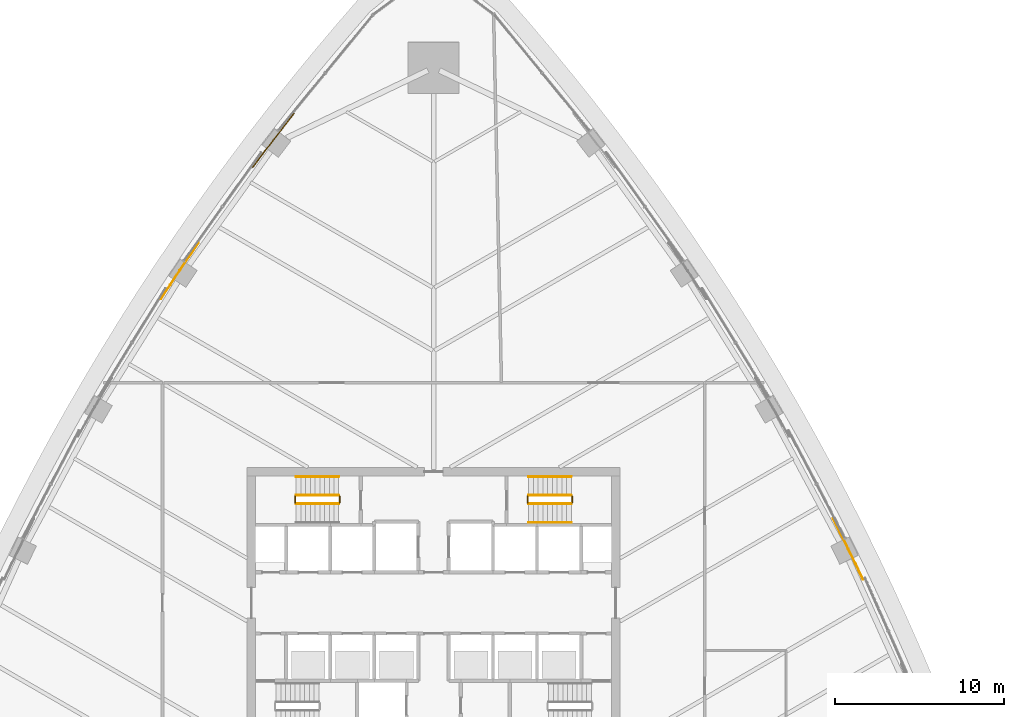
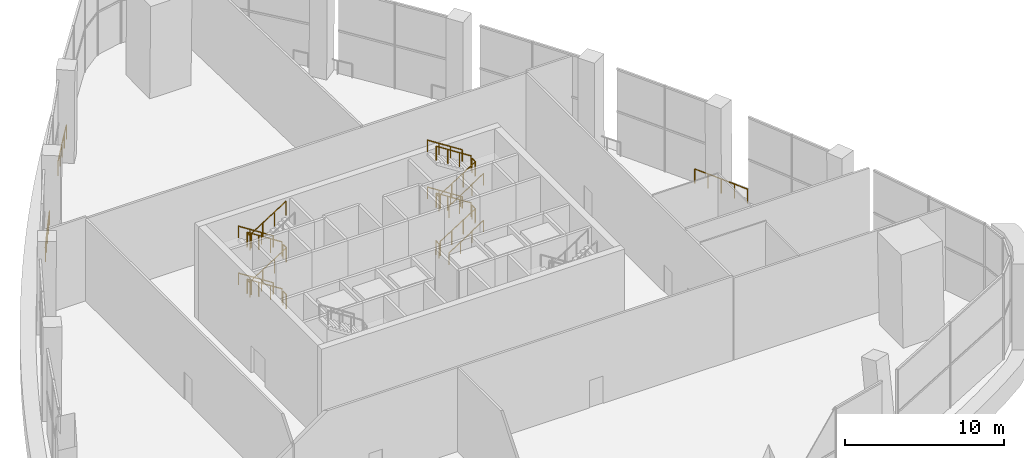
# One storey, part 21 of 23: 25 railings.
"""IFC4 building model written with IfcOpenShell, lengths in metres."""

from ifc_helpers import new_model, si_unit, direction, frame, origin, origin_2d, place, context, subcontext, project, spatial, circle, extrude, material, type_object, element, save


model = new_model("IFC4")

# Units and contexts
model_context = context("Model", 3, precision=1e-05, world=origin(), true_north=direction((0.0, 1.0)))
body_context = subcontext(model_context, "Body", "Model", "MODEL_VIEW")
ifc_project = project(units=[si_unit("LENGTHUNIT", "METRE"), si_unit("AREAUNIT", "SQUARE_METRE"), si_unit("VOLUMEUNIT", "CUBIC_METRE"), si_unit("PLANEANGLEUNIT", "RADIAN"), si_unit("MASSUNIT", "GRAM", prefix="KILO")], contexts=[model_context])

# Site, building, storey
site_placement = place(None, origin())
site = spatial("IfcSite", under=ifc_project, at=site_placement, CompositionType="ELEMENT")
building_placement = place(site_placement, origin())
building = spatial("IfcBuilding", under=site, at=building_placement, Name="Sierra Prisma Convention Tower", CompositionType="ELEMENT")
storey_placement = place(building_placement, frame((0.0, 0.0, 40.800048828125)))
storey = spatial("IfcBuildingStorey", under=building, at=storey_placement, Name="L06", CompositionType="ELEMENT", Elevation=40.800048828125)

# Railings
ifc_material_1 = material(Name="Stainless steel", Category="steel")
railing_type_1 = type_object("IfcRailingType", Name="Exit stair handrail", PredefinedType="HANDRAIL", material=ifc_material_1)
railing_1_placement = place(storey_placement, frame((-5.60009765625, 7.449951171875, 0.179931640625)))
element("IfcRailing", 1, at=railing_1_placement, inside=storey, type_object=railing_type_1, Name="L06 S3 stair handrail 1", PredefinedType="HANDRAIL", context=body_context, shape_type="SweptSolid", body=[
    extrude(circle(Radius=0.02392578125, at=origin_2d()), frame((0.0, 0.0, 0.8759765625), z_axis=(-0.841162588446, 0.0, 0.540782303519), x_axis=(0.0, -1.0, 0.0)), (0.0, 0.0, 1.0), 2.995849609375),
    extrude(circle(Radius=0.02099609375, at=origin_2d()), origin(), (0.0, 0.0, 1.0), 0.851806640625),
    extrude(circle(Radius=0.02099609375, at=origin_2d()), frame((-0.840087890625, 0.0, 0.5400390625)), (0.0, 0.0, 1.0), 0.851806640625),
    extrude(circle(Radius=0.02099609375, at=origin_2d()), frame((-1.679931640625, 0.0, 1.080078125)), (0.0, 0.0, 1.0), 0.851806640625),
    extrude(circle(Radius=0.02099609375, at=origin_2d()), frame((-2.52001953125, 0.0, 1.6201171875)), (0.0, 0.0, 1.0), 0.851806640625),
])
railing_2_placement = place(storey_placement, frame((-5.60009765625, 7.449951171875, 3.780029296875)))
element("IfcRailing", 2, at=railing_2_placement, inside=storey, type_object=railing_type_1, Name="L06 S3 stair handrail 3", PredefinedType="HANDRAIL", context=body_context, shape_type="SweptSolid", body=[
    extrude(circle(Radius=0.02392578125, at=origin_2d()), frame((0.0, 0.0, 0.8759765625), z_axis=(-0.841199657755, 0.0, 0.540724639528), x_axis=(0.0, -1.0, 0.0)), (0.0, 0.0, 1.0), 2.995849609375),
    extrude(circle(Radius=0.02099609375, at=origin_2d()), origin(), (0.0, 0.0, 1.0), 0.851806640625),
    extrude(circle(Radius=0.02099609375, at=origin_2d()), frame((-0.840087890625, 0.0, 0.5400390625)), (0.0, 0.0, 1.0), 0.851806640625),
    extrude(circle(Radius=0.02099609375, at=origin_2d()), frame((-1.679931640625, 0.0, 1.079833984375)), (0.0, 0.0, 1.0), 0.851806640625),
    extrude(circle(Radius=0.02099609375, at=origin_2d()), frame((-2.52001953125, 0.0, 1.619873046875)), (0.0, 0.0, 1.0), 0.851806640625),
])
railing_3_placement = place(storey_placement, frame((5.60009765625, 4.75, 0.179931640625)))
element("IfcRailing", 3, at=railing_3_placement, inside=storey, type_object=railing_type_1, Name="L06 S4 stair handrail 1", PredefinedType="HANDRAIL", context=body_context, shape_type="SweptSolid", body=[
    extrude(circle(Radius=0.02392578125, at=origin_2d()), frame((0.0, 0.0, 0.8759765625), z_axis=(0.841162588446, 0.0, 0.540782303519), x_axis=(0.0, 1.0, 0.0)), (0.0, 0.0, 1.0), 2.995849609375),
    extrude(circle(Radius=0.02099609375, at=origin_2d()), origin(), (0.0, 0.0, 1.0), 0.851806640625),
    extrude(circle(Radius=0.02099609375, at=origin_2d()), frame((0.840087890625, 0.0, 0.5400390625)), (0.0, 0.0, 1.0), 0.851806640625),
    extrude(circle(Radius=0.02099609375, at=origin_2d()), frame((1.679931640625, 0.0, 1.080078125)), (0.0, 0.0, 1.0), 0.851806640625),
    extrude(circle(Radius=0.02099609375, at=origin_2d()), frame((2.52001953125, 0.0, 1.6201171875)), (0.0, 0.0, 1.0), 0.851806640625),
])
railing_4_placement = place(storey_placement, frame((8.1201171875, 7.449951171875, 1.97998046875)))
element("IfcRailing", 4, at=railing_4_placement, inside=storey, type_object=railing_type_1, Name="L06 S4 stair handrail 2", PredefinedType="HANDRAIL", context=body_context, shape_type="SweptSolid", body=[
    extrude(circle(Radius=0.02392578125, at=origin_2d()), frame((0.0, 0.0, 0.8759765625), z_axis=(-0.841199657755, 0.0, 0.540724639528), x_axis=(0.0, -1.0, 0.0)), (0.0, 0.0, 1.0), 2.995849609375),
    extrude(circle(Radius=0.02099609375, at=origin_2d()), origin(), (0.0, 0.0, 1.0), 0.851806640625),
    extrude(circle(Radius=0.02099609375, at=origin_2d()), frame((-0.840087890625, 0.0, 0.5400390625)), (0.0, 0.0, 1.0), 0.851806640625),
    extrude(circle(Radius=0.02099609375, at=origin_2d()), frame((-1.679931640625, 0.0, 1.079833984375)), (0.0, 0.0, 1.0), 0.851806640625),
    extrude(circle(Radius=0.02099609375, at=origin_2d()), frame((-2.52001953125, 0.0, 1.619873046875)), (0.0, 0.0, 1.0), 0.851806640625),
])
railing_5_placement = place(storey_placement, frame((5.60009765625, 4.75, 3.780029296875)))
element("IfcRailing", 5, at=railing_5_placement, inside=storey, type_object=railing_type_1, Name="L06 S4 stair handrail 3", PredefinedType="HANDRAIL", context=body_context, shape_type="SweptSolid", body=[
    extrude(circle(Radius=0.02392578125, at=origin_2d()), frame((0.0, 0.0, 0.8759765625), z_axis=(0.841199657755, 0.0, 0.540724639528), x_axis=(0.0, 1.0, 0.0)), (0.0, 0.0, 1.0), 2.995849609375),
    extrude(circle(Radius=0.02099609375, at=origin_2d()), origin(), (0.0, 0.0, 1.0), 0.851806640625),
    extrude(circle(Radius=0.02099609375, at=origin_2d()), frame((0.840087890625, 0.0, 0.5400390625)), (0.0, 0.0, 1.0), 0.851806640625),
    extrude(circle(Radius=0.02099609375, at=origin_2d()), frame((1.679931640625, 0.0, 1.079833984375)), (0.0, 0.0, 1.0), 0.851806640625),
    extrude(circle(Radius=0.02099609375, at=origin_2d()), frame((2.52001953125, 0.0, 1.619873046875)), (0.0, 0.0, 1.0), 0.851806640625),
])
railing_6_placement = place(storey_placement, frame((8.1201171875, 7.449951171875, 5.579833984375)))
element("IfcRailing", 6, at=railing_6_placement, inside=storey, type_object=railing_type_1, Name="L06 S4 stair handrail 4", PredefinedType="HANDRAIL", context=body_context, shape_type="SweptSolid", body=[
    extrude(circle(Radius=0.02392578125, at=origin_2d()), frame((0.0, 0.0, 0.8759765625), z_axis=(-0.841162588446, 0.0, 0.540782303519), x_axis=(0.0, -1.0, 0.0)), (0.0, 0.0, 1.0), 2.995849609375),
    extrude(circle(Radius=0.02099609375, at=origin_2d()), origin(), (0.0, 0.0, 1.0), 0.851806640625),
    extrude(circle(Radius=0.02099609375, at=origin_2d()), frame((-0.840087890625, 0.0, 0.5400390625)), (0.0, 0.0, 1.0), 0.851806640625),
    extrude(circle(Radius=0.02099609375, at=origin_2d()), frame((-1.679931640625, 0.0, 1.080078125)), (0.0, 0.0, 1.0), 0.851806640625),
    extrude(circle(Radius=0.02099609375, at=origin_2d()), frame((-2.52001953125, 0.0, 1.6201171875)), (0.0, 0.0, 1.0), 0.851806640625),
])
ifc_material_2 = material(Name="Bronze anodised aluminium", Category="aluminium")
railing_type_2 = type_object("IfcRailingType", Name="Facade guard 1100", PredefinedType="GUARDRAIL", material=ifc_material_2)
railing_7_placement = place(storey_placement, frame((25.3388671875, 1.39306640625, 0.0)))
element("IfcRailing", 7, at=railing_7_placement, inside=storey, type_object=railing_type_2, Name="Facade guard", PredefinedType="GUARDRAIL", context=body_context, shape_type="SweptSolid", body=[
    extrude(circle(Radius=0.02392578125, at=origin_2d()), frame((0.0, 0.0, 1.076171875), z_axis=(-0.431533667968, 0.902096831504, 0.0), x_axis=(-0.902096831504, -0.431533667968, 0.0)), (0.0, 0.0, 1.0), 0.99462890625),
    extrude(circle(Radius=0.02392578125, at=origin_2d()), frame((-0.42919921875, 0.897216796875, 1.076171875), z_axis=(-0.440168795441, 0.897915046939, 0.0), x_axis=(-0.897915046939, -0.440168795441, 0.0)), (0.0, 0.0, 1.0), 1.0),
    extrude(circle(Radius=0.02392578125, at=origin_2d()), frame((-0.869384765625, 1.795166015625, 1.076171875), z_axis=(-0.444068724459, 0.895992727625, 0.0), x_axis=(-0.895992727625, -0.444068724459, 0.0)), (0.0, 0.0, 1.0), 0.99462890625),
    extrude(circle(Radius=0.02392578125, at=origin_2d()), frame((-1.31103515625, 2.686279296875, 1.076171875), z_axis=(-0.452187560716, 0.891922872189, 0.0), x_axis=(-0.891922872189, -0.452187560716, 0.0)), (0.0, 0.0, 1.0), 1.0),
    extrude(circle(Radius=0.02099609375, at=origin_2d()), origin(), (0.0, 0.0, 1.0), 1.052001953125),
    extrude(circle(Radius=0.02099609375, at=origin_2d()), frame((-0.42919921875, 0.897216796875, 0.0)), (0.0, 0.0, 1.0), 1.052001953125),
    extrude(circle(Radius=0.02099609375, at=origin_2d()), frame((-0.869384765625, 1.795166015625, 0.0)), (0.0, 0.0, 1.0), 1.052001953125),
    extrude(circle(Radius=0.02099609375, at=origin_2d()), frame((-1.31103515625, 2.686279296875, 0.0)), (0.0, 0.0, 1.0), 1.052001953125),
    extrude(circle(Radius=0.02099609375, at=origin_2d()), frame((-1.76318359375, 3.578125, 0.0)), (0.0, 0.0, 1.0), 1.052001953125),
])
railing_8_placement = place(storey_placement, frame((-8.245849609375, 28.873291015625, 0.0)))
element("IfcRailing", 8, at=railing_8_placement, inside=storey, type_object=railing_type_2, Name="Facade guard", PredefinedType="GUARDRAIL", context=body_context, shape_type="SweptSolid", body=[
    extrude(circle(Radius=0.02392578125, at=origin_2d()), frame((0.0, 0.0, 1.076171875), z_axis=(-0.616910432633, -0.787033365309, 0.0), x_axis=(0.787033365309, -0.616910432633, 0.0)), (0.0, 0.0, 1.0), 0.99462890625),
    extrude(circle(Radius=0.02392578125, at=origin_2d()), frame((-0.613525390625, -0.78271484375, 1.076171875), z_axis=(-0.612773739081, -0.790258403747, 0.0), x_axis=(0.790258403747, -0.612773739081, 0.0)), (0.0, 0.0, 1.0), 1.0),
    extrude(circle(Radius=0.02392578125, at=origin_2d()), frame((-1.226318359375, -1.572998046875, 1.076171875), z_axis=(-0.605562387438, -0.795797835458, 0.0), x_axis=(0.795797835458, -0.605562387438, 0.0)), (0.0, 0.0, 1.0), 0.99462890625),
    extrude(circle(Radius=0.02392578125, at=origin_2d()), frame((-1.82861328125, -2.364501953125, 1.076171875), z_axis=(-0.602107487597, -0.798415038298, 0.0), x_axis=(0.798415038298, -0.602107487597, 0.0)), (0.0, 0.0, 1.0), 1.0),
    extrude(circle(Radius=0.02099609375, at=origin_2d()), origin(), (0.0, 0.0, 1.0), 1.052001953125),
    extrude(circle(Radius=0.02099609375, at=origin_2d()), frame((-0.613525390625, -0.78271484375, 0.0)), (0.0, 0.0, 1.0), 1.052001953125),
    extrude(circle(Radius=0.02099609375, at=origin_2d()), frame((-1.226318359375, -1.572998046875, 0.0)), (0.0, 0.0, 1.0), 1.052001953125),
    extrude(circle(Radius=0.02099609375, at=origin_2d()), frame((-1.82861328125, -2.364501953125, 0.0)), (0.0, 0.0, 1.0), 1.052001953125),
    extrude(circle(Radius=0.02099609375, at=origin_2d()), frame((-2.4306640625, -3.162841796875, 0.0)), (0.0, 0.0, 1.0), 1.052001953125),
])
railing_9_placement = place(storey_placement, frame((-13.875732421875, 21.24755859375, 0.0)))
element("IfcRailing", 9, at=railing_9_placement, inside=storey, type_object=railing_type_2, Name="Facade guard", PredefinedType="GUARDRAIL", context=body_context, shape_type="SweptSolid", body=[
    extrude(circle(Radius=0.02392578125, at=origin_2d()), frame((0.0, 0.0, 1.076171875), z_axis=(-0.565528355552, -0.824728851846, 0.0), x_axis=(0.824728851846, -0.565528355552, 0.0)), (0.0, 0.0, 1.0), 0.99462890625),
    extrude(circle(Radius=0.02392578125, at=origin_2d()), frame((-0.5625, -0.8203125, 1.076171875), z_axis=(-0.557626493974, -0.83009197877, 0.0), x_axis=(0.83009197877, -0.557626493974, 0.0)), (0.0, 0.0, 1.0), 1.0),
    extrude(circle(Radius=0.02392578125, at=origin_2d()), frame((-1.1201171875, -1.650390625, 1.076171875), z_axis=(-0.553906706228, -0.832578741498, 0.0), x_axis=(0.832578741498, -0.553906706228, 0.0)), (0.0, 0.0, 1.0), 0.994384765625),
    extrude(circle(Radius=0.02392578125, at=origin_2d()), frame((-1.6708984375, -2.478271484375, 1.076171875), z_axis=(-0.546334797773, -0.83756688613, 0.0), x_axis=(0.83756688613, -0.546334797773, 0.0)), (0.0, 0.0, 1.0), 1.0),
    extrude(circle(Radius=0.02099609375, at=origin_2d()), origin(), (0.0, 0.0, 1.0), 1.052001953125),
    extrude(circle(Radius=0.02099609375, at=origin_2d()), frame((-0.5625, -0.8203125, 0.0)), (0.0, 0.0, 1.0), 1.052001953125),
    extrude(circle(Radius=0.02099609375, at=origin_2d()), frame((-1.1201171875, -1.650390625, 0.0)), (0.0, 0.0, 1.0), 1.052001953125),
    extrude(circle(Radius=0.02099609375, at=origin_2d()), frame((-1.6708984375, -2.478271484375, 0.0)), (0.0, 0.0, 1.0), 1.052001953125),
    extrude(circle(Radius=0.02099609375, at=origin_2d()), frame((-2.21728515625, -3.31591796875, 0.0)), (0.0, 0.0, 1.0), 1.052001953125),
])
ifc_material_3 = material(Name="Stainless steel", Category="steel")
railing_type_3 = type_object("IfcRailingType", Name="Stair guard 1100", PredefinedType="GUARDRAIL", material=ifc_material_3)
railing_10_placement = place(storey_placement, frame((-5.60009765625, 6.35009765625, 0.179931640625)))
element("IfcRailing", 10, at=railing_10_placement, inside=storey, type_object=railing_type_3, Name="L06 S3 stair guard 1", PredefinedType="GUARDRAIL", context=body_context, shape_type="SweptSolid", body=[
    extrude(circle(Radius=0.02392578125, at=origin_2d()), frame((0.0, 0.0, 1.076171875), z_axis=(-0.841162588446, 0.0, 0.540782303519), x_axis=(0.0, -1.0, 0.0)), (0.0, 0.0, 1.0), 2.995849609375),
    extrude(circle(Radius=0.02099609375, at=origin_2d()), origin(), (0.0, 0.0, 1.0), 1.052001953125),
    extrude(circle(Radius=0.02099609375, at=origin_2d()), frame((-0.840087890625, 0.0, 0.5400390625)), (0.0, 0.0, 1.0), 1.052001953125),
    extrude(circle(Radius=0.02099609375, at=origin_2d()), frame((-1.679931640625, 0.0, 1.080078125)), (0.0, 0.0, 1.0), 1.052001953125),
    extrude(circle(Radius=0.02099609375, at=origin_2d()), frame((-2.52001953125, 0.0, 1.6201171875)), (0.0, 0.0, 1.0), 1.052001953125),
])
railing_11_placement = place(storey_placement, frame((-8.169921875, 6.300048828125, 1.800048828125)))
element("IfcRailing", 11, at=railing_11_placement, inside=storey, type_object=railing_type_3, Name="L06 S3 stair guard 2", PredefinedType="GUARDRAIL", context=body_context, shape_type="SweptSolid", body=[
    extrude(circle(Radius=0.02392578125, at=origin_2d()), frame((0.0, 0.0, 1.076171875), z_axis=(0.0, -1.0, 0.0), x_axis=(1.0, 0.0, 0.0)), (0.0, 0.0, 1.0), 0.400146484375),
    extrude(circle(Radius=0.02099609375, at=origin_2d()), origin(), (0.0, 0.0, 1.0), 1.052001953125),
    extrude(circle(Radius=0.02099609375, at=origin_2d()), frame((0.0, -0.400146484375, 0.0)), (0.0, 0.0, 1.0), 1.052001953125),
])
railing_12_placement = place(storey_placement, frame((-8.1201171875, 5.85009765625, 1.97998046875)))
element("IfcRailing", 12, at=railing_12_placement, inside=storey, type_object=railing_type_3, Name="L06 S3 stair guard 3", PredefinedType="GUARDRAIL", context=body_context, shape_type="SweptSolid", body=[
    extrude(circle(Radius=0.02392578125, at=origin_2d()), frame((0.0, 0.0, 1.076171875), z_axis=(0.841199657755, 0.0, 0.540724639528), x_axis=(0.0, 1.0, 0.0)), (0.0, 0.0, 1.0), 2.995849609375),
    extrude(circle(Radius=0.02099609375, at=origin_2d()), origin(), (0.0, 0.0, 1.0), 1.052001953125),
    extrude(circle(Radius=0.02099609375, at=origin_2d()), frame((0.840087890625, 0.0, 0.5400390625)), (0.0, 0.0, 1.0), 1.052001953125),
    extrude(circle(Radius=0.02099609375, at=origin_2d()), frame((1.679931640625, 0.0, 1.079833984375)), (0.0, 0.0, 1.0), 1.052001953125),
    extrude(circle(Radius=0.02099609375, at=origin_2d()), frame((2.52001953125, 0.0, 1.619873046875)), (0.0, 0.0, 1.0), 1.052001953125),
])
railing_13_placement = place(storey_placement, frame((-5.550048828125, 6.300048828125, 3.599853515625)))
element("IfcRailing", 13, at=railing_13_placement, inside=storey, type_object=railing_type_3, Name="L06 S3 stair guard 4", PredefinedType="GUARDRAIL", context=body_context, shape_type="SweptSolid", body=[
    extrude(circle(Radius=0.02392578125, at=origin_2d()), frame((0.0, 0.0, 1.076171875), z_axis=(0.0, -1.0, 0.0), x_axis=(1.0, 0.0, 0.0)), (0.0, 0.0, 1.0), 0.400146484375),
    extrude(circle(Radius=0.02099609375, at=origin_2d()), origin(), (0.0, 0.0, 1.0), 1.052001953125),
    extrude(circle(Radius=0.02099609375, at=origin_2d()), frame((0.0, -0.400146484375, 0.0)), (0.0, 0.0, 1.0), 1.052001953125),
])
railing_14_placement = place(storey_placement, frame((-5.60009765625, 6.35009765625, 3.780029296875)))
element("IfcRailing", 14, at=railing_14_placement, inside=storey, type_object=railing_type_3, Name="L06 S3 stair guard 5", PredefinedType="GUARDRAIL", context=body_context, shape_type="SweptSolid", body=[
    extrude(circle(Radius=0.02392578125, at=origin_2d()), frame((0.0, 0.0, 1.076171875), z_axis=(-0.841199657755, 0.0, 0.540724639528), x_axis=(0.0, -1.0, 0.0)), (0.0, 0.0, 1.0), 2.995849609375),
    extrude(circle(Radius=0.02099609375, at=origin_2d()), origin(), (0.0, 0.0, 1.0), 1.052001953125),
    extrude(circle(Radius=0.02099609375, at=origin_2d()), frame((-0.840087890625, 0.0, 0.5400390625)), (0.0, 0.0, 1.0), 1.052001953125),
    extrude(circle(Radius=0.02099609375, at=origin_2d()), frame((-1.679931640625, 0.0, 1.079833984375)), (0.0, 0.0, 1.0), 1.052001953125),
    extrude(circle(Radius=0.02099609375, at=origin_2d()), frame((-2.52001953125, 0.0, 1.619873046875)), (0.0, 0.0, 1.0), 1.052001953125),
])
railing_15_placement = place(storey_placement, frame((-8.169921875, 6.300048828125, 5.39990234375)))
element("IfcRailing", 15, at=railing_15_placement, inside=storey, type_object=railing_type_3, Name="L06 S3 stair guard 6", PredefinedType="GUARDRAIL", context=body_context, shape_type="SweptSolid", body=[
    extrude(circle(Radius=0.02392578125, at=origin_2d()), frame((0.0, 0.0, 1.076171875), z_axis=(0.0, -1.0, 0.0), x_axis=(1.0, 0.0, 0.0)), (0.0, 0.0, 1.0), 0.400146484375),
    extrude(circle(Radius=0.02099609375, at=origin_2d()), origin(), (0.0, 0.0, 1.0), 1.052001953125),
    extrude(circle(Radius=0.02099609375, at=origin_2d()), frame((0.0, -0.400146484375, 0.0)), (0.0, 0.0, 1.0), 1.052001953125),
])
railing_16_placement = place(storey_placement, frame((-8.1201171875, 5.85009765625, 5.579833984375)))
element("IfcRailing", 16, at=railing_16_placement, inside=storey, type_object=railing_type_3, Name="L06 S3 stair guard 7", PredefinedType="GUARDRAIL", context=body_context, shape_type="SweptSolid", body=[
    extrude(circle(Radius=0.02392578125, at=origin_2d()), frame((0.0, 0.0, 1.076171875), z_axis=(0.841162588446, 0.0, 0.540782303519), x_axis=(0.0, 1.0, 0.0)), (0.0, 0.0, 1.0), 2.995849609375),
    extrude(circle(Radius=0.02099609375, at=origin_2d()), origin(), (0.0, 0.0, 1.0), 1.052001953125),
    extrude(circle(Radius=0.02099609375, at=origin_2d()), frame((0.840087890625, 0.0, 0.5400390625)), (0.0, 0.0, 1.0), 1.052001953125),
    extrude(circle(Radius=0.02099609375, at=origin_2d()), frame((1.679931640625, 0.0, 1.080078125)), (0.0, 0.0, 1.0), 1.052001953125),
    extrude(circle(Radius=0.02099609375, at=origin_2d()), frame((2.52001953125, 0.0, 1.6201171875)), (0.0, 0.0, 1.0), 1.052001953125),
])
railing_17_placement = place(storey_placement, frame((-5.550048828125, 6.300048828125, 0.0)))
element("IfcRailing", 17, at=railing_17_placement, inside=storey, type_object=railing_type_3, Name="L06 S3 stair guard 8", PredefinedType="GUARDRAIL", context=body_context, shape_type="SweptSolid", body=[
    extrude(circle(Radius=0.02392578125, at=origin_2d()), frame((0.0, 0.0, 1.076171875), z_axis=(0.0, -1.0, 0.0), x_axis=(1.0, 0.0, 0.0)), (0.0, 0.0, 1.0), 0.400146484375),
    extrude(circle(Radius=0.02099609375, at=origin_2d()), origin(), (0.0, 0.0, 1.0), 1.052001953125),
    extrude(circle(Radius=0.02099609375, at=origin_2d()), frame((0.0, -0.400146484375, 0.0)), (0.0, 0.0, 1.0), 1.052001953125),
])
railing_18_placement = place(storey_placement, frame((5.60009765625, 5.85009765625, 0.179931640625)))
element("IfcRailing", 18, at=railing_18_placement, inside=storey, type_object=railing_type_3, Name="L06 S4 stair guard 1", PredefinedType="GUARDRAIL", context=body_context, shape_type="SweptSolid", body=[
    extrude(circle(Radius=0.02392578125, at=origin_2d()), frame((0.0, 0.0, 1.076171875), z_axis=(0.841162588446, 0.0, 0.540782303519), x_axis=(0.0, 1.0, 0.0)), (0.0, 0.0, 1.0), 2.995849609375),
    extrude(circle(Radius=0.02099609375, at=origin_2d()), origin(), (0.0, 0.0, 1.0), 1.052001953125),
    extrude(circle(Radius=0.02099609375, at=origin_2d()), frame((0.840087890625, 0.0, 0.5400390625)), (0.0, 0.0, 1.0), 1.052001953125),
    extrude(circle(Radius=0.02099609375, at=origin_2d()), frame((1.679931640625, 0.0, 1.080078125)), (0.0, 0.0, 1.0), 1.052001953125),
    extrude(circle(Radius=0.02099609375, at=origin_2d()), frame((2.52001953125, 0.0, 1.6201171875)), (0.0, 0.0, 1.0), 1.052001953125),
])
railing_19_placement = place(storey_placement, frame((8.169921875, 5.89990234375, 1.800048828125)))
element("IfcRailing", 19, at=railing_19_placement, inside=storey, type_object=railing_type_3, Name="L06 S4 stair guard 2", PredefinedType="GUARDRAIL", context=body_context, shape_type="SweptSolid", body=[
    extrude(circle(Radius=0.02392578125, at=origin_2d()), frame((0.0, 0.0, 1.076171875), z_axis=(0.0, 1.0, 0.0), x_axis=(-1.0, 0.0, 0.0)), (0.0, 0.0, 1.0), 0.400146484375),
    extrude(circle(Radius=0.02099609375, at=origin_2d()), origin(), (0.0, 0.0, 1.0), 1.052001953125),
    extrude(circle(Radius=0.02099609375, at=origin_2d()), frame((0.0, 0.400146484375, 0.0)), (0.0, 0.0, 1.0), 1.052001953125),
])
railing_20_placement = place(storey_placement, frame((8.1201171875, 6.35009765625, 1.97998046875)))
element("IfcRailing", 20, at=railing_20_placement, inside=storey, type_object=railing_type_3, Name="L06 S4 stair guard 3", PredefinedType="GUARDRAIL", context=body_context, shape_type="SweptSolid", body=[
    extrude(circle(Radius=0.02392578125, at=origin_2d()), frame((0.0, 0.0, 1.076171875), z_axis=(-0.841199657755, 0.0, 0.540724639528), x_axis=(0.0, -1.0, 0.0)), (0.0, 0.0, 1.0), 2.995849609375),
    extrude(circle(Radius=0.02099609375, at=origin_2d()), origin(), (0.0, 0.0, 1.0), 1.052001953125),
    extrude(circle(Radius=0.02099609375, at=origin_2d()), frame((-0.840087890625, 0.0, 0.5400390625)), (0.0, 0.0, 1.0), 1.052001953125),
    extrude(circle(Radius=0.02099609375, at=origin_2d()), frame((-1.679931640625, 0.0, 1.079833984375)), (0.0, 0.0, 1.0), 1.052001953125),
    extrude(circle(Radius=0.02099609375, at=origin_2d()), frame((-2.52001953125, 0.0, 1.619873046875)), (0.0, 0.0, 1.0), 1.052001953125),
])
railing_21_placement = place(storey_placement, frame((5.550048828125, 5.89990234375, 3.599853515625)))
element("IfcRailing", 21, at=railing_21_placement, inside=storey, type_object=railing_type_3, Name="L06 S4 stair guard 4", PredefinedType="GUARDRAIL", context=body_context, shape_type="SweptSolid", body=[
    extrude(circle(Radius=0.02392578125, at=origin_2d()), frame((0.0, 0.0, 1.076171875), z_axis=(0.0, 1.0, 0.0), x_axis=(-1.0, 0.0, 0.0)), (0.0, 0.0, 1.0), 0.400146484375),
    extrude(circle(Radius=0.02099609375, at=origin_2d()), origin(), (0.0, 0.0, 1.0), 1.052001953125),
    extrude(circle(Radius=0.02099609375, at=origin_2d()), frame((0.0, 0.400146484375, 0.0)), (0.0, 0.0, 1.0), 1.052001953125),
])
railing_22_placement = place(storey_placement, frame((5.60009765625, 5.85009765625, 3.780029296875)))
element("IfcRailing", 22, at=railing_22_placement, inside=storey, type_object=railing_type_3, Name="L06 S4 stair guard 5", PredefinedType="GUARDRAIL", context=body_context, shape_type="SweptSolid", body=[
    extrude(circle(Radius=0.02392578125, at=origin_2d()), frame((0.0, 0.0, 1.076171875), z_axis=(0.841199657755, 0.0, 0.540724639528), x_axis=(0.0, 1.0, 0.0)), (0.0, 0.0, 1.0), 2.995849609375),
    extrude(circle(Radius=0.02099609375, at=origin_2d()), origin(), (0.0, 0.0, 1.0), 1.052001953125),
    extrude(circle(Radius=0.02099609375, at=origin_2d()), frame((0.840087890625, 0.0, 0.5400390625)), (0.0, 0.0, 1.0), 1.052001953125),
    extrude(circle(Radius=0.02099609375, at=origin_2d()), frame((1.679931640625, 0.0, 1.079833984375)), (0.0, 0.0, 1.0), 1.052001953125),
    extrude(circle(Radius=0.02099609375, at=origin_2d()), frame((2.52001953125, 0.0, 1.619873046875)), (0.0, 0.0, 1.0), 1.052001953125),
])
railing_23_placement = place(storey_placement, frame((8.169921875, 5.89990234375, 5.39990234375)))
element("IfcRailing", 23, at=railing_23_placement, inside=storey, type_object=railing_type_3, Name="L06 S4 stair guard 6", PredefinedType="GUARDRAIL", context=body_context, shape_type="SweptSolid", body=[
    extrude(circle(Radius=0.02392578125, at=origin_2d()), frame((0.0, 0.0, 1.076171875), z_axis=(0.0, 1.0, 0.0), x_axis=(-1.0, 0.0, 0.0)), (0.0, 0.0, 1.0), 0.400146484375),
    extrude(circle(Radius=0.02099609375, at=origin_2d()), origin(), (0.0, 0.0, 1.0), 1.052001953125),
    extrude(circle(Radius=0.02099609375, at=origin_2d()), frame((0.0, 0.400146484375, 0.0)), (0.0, 0.0, 1.0), 1.052001953125),
])
railing_24_placement = place(storey_placement, frame((8.1201171875, 6.35009765625, 5.579833984375)))
element("IfcRailing", 24, at=railing_24_placement, inside=storey, type_object=railing_type_3, Name="L06 S4 stair guard 7", PredefinedType="GUARDRAIL", context=body_context, shape_type="SweptSolid", body=[
    extrude(circle(Radius=0.02392578125, at=origin_2d()), frame((0.0, 0.0, 1.076171875), z_axis=(-0.841162588446, 0.0, 0.540782303519), x_axis=(0.0, -1.0, 0.0)), (0.0, 0.0, 1.0), 2.995849609375),
    extrude(circle(Radius=0.02099609375, at=origin_2d()), origin(), (0.0, 0.0, 1.0), 1.052001953125),
    extrude(circle(Radius=0.02099609375, at=origin_2d()), frame((-0.840087890625, 0.0, 0.5400390625)), (0.0, 0.0, 1.0), 1.052001953125),
    extrude(circle(Radius=0.02099609375, at=origin_2d()), frame((-1.679931640625, 0.0, 1.080078125)), (0.0, 0.0, 1.0), 1.052001953125),
    extrude(circle(Radius=0.02099609375, at=origin_2d()), frame((-2.52001953125, 0.0, 1.6201171875)), (0.0, 0.0, 1.0), 1.052001953125),
])
railing_25_placement = place(storey_placement, frame((5.550048828125, 5.89990234375, 0.0)))
element("IfcRailing", 25, at=railing_25_placement, inside=storey, type_object=railing_type_3, Name="L06 S4 stair guard 8", PredefinedType="GUARDRAIL", context=body_context, shape_type="SweptSolid", body=[
    extrude(circle(Radius=0.02392578125, at=origin_2d()), frame((0.0, 0.0, 1.076171875), z_axis=(0.0, 1.0, 0.0), x_axis=(-1.0, 0.0, 0.0)), (0.0, 0.0, 1.0), 0.400146484375),
    extrude(circle(Radius=0.02099609375, at=origin_2d()), origin(), (0.0, 0.0, 1.0), 1.052001953125),
    extrude(circle(Radius=0.02099609375, at=origin_2d()), frame((0.0, 0.400146484375, 0.0)), (0.0, 0.0, 1.0), 1.052001953125),
])

save(model, "model.ifc")
